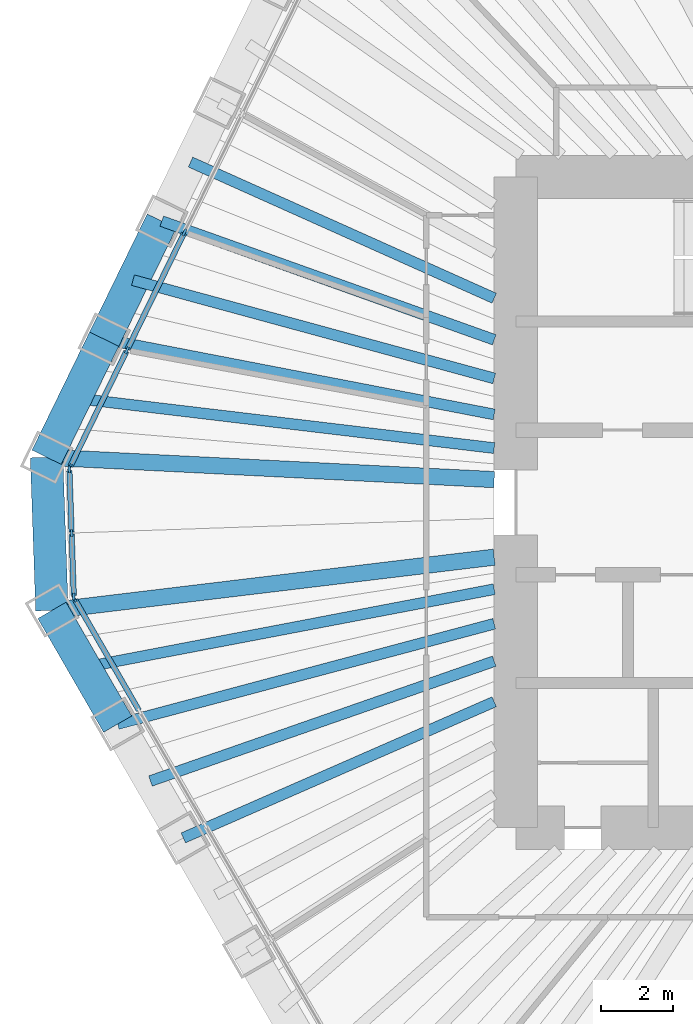
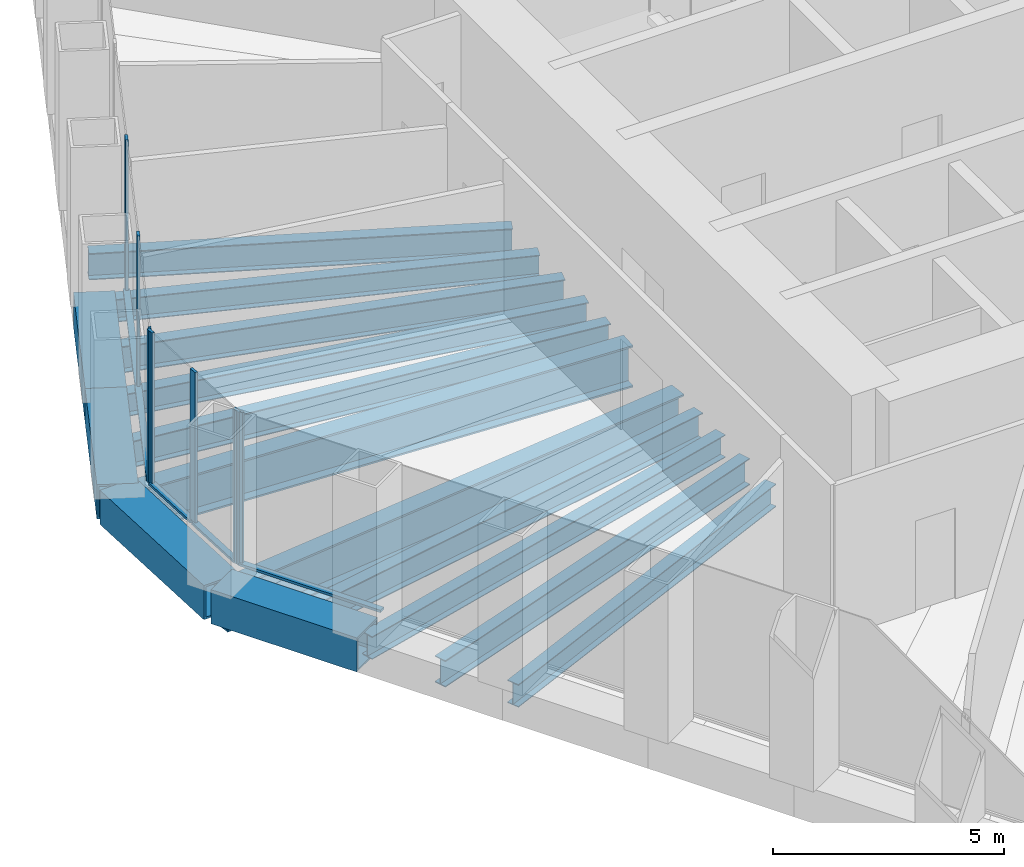
# One storey, part 3 of 13: 15 beams, 12 members, 3 elements without a shape of their own.
"""IFC4 building model written with IfcOpenShell, lengths in metres."""

from ifc_helpers import new_model, si_unit, direction, frame, origin, origin_2d, place, context, subcontext, project, spatial, rectangle, hollow_rectangle, i_section, extrude, material, material_profile, profile_set, type_object, element, aggregate, save


model = new_model("IFC4")

# Units and contexts
model_context = context("Model", 3, precision=1e-05, world=origin(), true_north=direction((0.0, 1.0)))
body_context = subcontext(model_context, "Body", "Model", "MODEL_VIEW")
ifc_project = project(units=[si_unit("LENGTHUNIT", "METRE"), si_unit("AREAUNIT", "SQUARE_METRE"), si_unit("VOLUMEUNIT", "CUBIC_METRE"), si_unit("PLANEANGLEUNIT", "RADIAN"), si_unit("MASSUNIT", "GRAM", prefix="KILO")], contexts=[model_context])

# Site, building, storey
site_placement = place(None, origin())
site = spatial("IfcSite", under=ifc_project, at=site_placement, CompositionType="ELEMENT")
building_placement = place(site_placement, origin())
building = spatial("IfcBuilding", under=site, at=building_placement, Name="Qingtian Harvest Tower", CompositionType="ELEMENT")
storey_placement = place(building_placement, frame((0.0, 0.0, 193.0)))
storey = spatial("IfcBuildingStorey", under=building, at=storey_placement, Name="L41", CompositionType="ELEMENT", Elevation=193.0)

# Beams
ifc_material_1 = material(Name="Steel SM570MC", Category="steel")
ifc_material_profile_1 = material_profile(ifc_material_1, i_section(OverallWidth=0.449951171875, OverallDepth=1.10009765625, WebThickness=0.02197265625, FlangeThickness=0.044921875, at=origin_2d()), Name="H1100x450x22x45")
ifc_profile_set_1 = profile_set([ifc_material_profile_1], Name="Steel SM570MC")
beam_type_1 = type_object("IfcBeamType", Name="Corner floor beam FB8 H1100x450x22x45", PredefinedType="BEAM", material=ifc_profile_set_1)
beam_1_placement = place(storey_placement, frame((-24.833251953125, -2.987548828125, -0.719970703125), z_axis=(0.992841259631, 0.119441337798, 0.0), x_axis=(-0.119441337798, 0.992841259631, 0.0)))
element("IfcBeam", 1, at=beam_1_placement, inside=storey, type_object=beam_type_1, Name="Floor beam FB8 SW6", PredefinedType="BEAM", context=body_context, shape_type="SweptSolid", body=[
    extrude(i_section(OverallWidth=0.449951171875, OverallDepth=1.10009765625, WebThickness=0.02197265625, FlangeThickness=0.044921875, at=origin_2d()), origin(), (0.0, 0.0, 1.0), 12.3212890625),
])
beam_2_placement = place(storey_placement, frame((-24.981201171875, 1.248046875, -0.719970703125), z_axis=(0.998753959075, -0.049905202459, 0.0), x_axis=(0.049905202459, 0.998753959075, 0.0)))
element("IfcBeam", 2, at=beam_2_placement, inside=storey, type_object=beam_type_1, Name="Floor beam FB8 NW0", PredefinedType="BEAM", context=body_context, shape_type="SweptSolid", body=[
    extrude(i_section(OverallWidth=0.449951171875, OverallDepth=1.10009765625, WebThickness=0.02197265625, FlangeThickness=0.044921875, at=origin_2d()), origin(), (0.0, 0.0, 1.0), 12.396484375),
])
ifc_material_2 = material(Name="Steel SN490B", Category="steel")
ifc_material_profile_2 = material_profile(ifc_material_2, i_section(OverallWidth=0.300048828125, OverallDepth=0.60009765625, WebThickness=0.011962890625, FlangeThickness=0.02001953125, at=origin_2d()), Name="H600x300x12x20")
ifc_profile_set_2 = profile_set([ifc_material_profile_2], Name="Steel SN490B")
beam_type_2 = type_object("IfcBeamType", Name="Floor beam FB3 H600x300x12x20", PredefinedType="BEAM", material=ifc_profile_set_2)
beam_3_placement = place(storey_placement, frame((-21.19970703125, -9.281005859375, -0.469970703125), z_axis=(0.916057031544, 0.401048020765, 0.0), x_axis=(-0.401048020765, 0.916057031544, 0.0)))
element("IfcBeam", 3, at=beam_3_placement, inside=storey, type_object=beam_type_2, Name="Floor beam FB3 SW4", PredefinedType="BEAM", context=body_context, shape_type="SweptSolid", body=[
    extrude(i_section(OverallWidth=0.300048828125, OverallDepth=0.60009765625, WebThickness=0.011962890625, FlangeThickness=0.02001953125, at=origin_2d()), origin(), (0.0, 0.0, 1.0), 9.3876953125),
])
beam_4_placement = place(storey_placement, frame((-23.016357421875, -6.13427734375, -0.469970703125), z_axis=(0.966270640629, 0.257528734433, 0.0), x_axis=(-0.257528734433, 0.966270640629, 0.0)))
element("IfcBeam", 4, at=beam_4_placement, inside=storey, type_object=beam_type_2, Name="Floor beam FB3 SW5", PredefinedType="BEAM", context=body_context, shape_type="SweptSolid", body=[
    extrude(i_section(OverallWidth=0.300048828125, OverallDepth=0.60009765625, WebThickness=0.011962890625, FlangeThickness=0.02001953125, at=origin_2d()), origin(), (0.0, 0.0, 1.0), 10.77978515625),
])
beam_5_placement = place(storey_placement, frame((-23.388427734375, 4.513916015625, -0.469970703125), z_axis=(0.981878004162, -0.189514075845, 0.0), x_axis=(0.189514075845, 0.981878004162, 0.0)))
element("IfcBeam", 5, at=beam_5_placement, inside=storey, type_object=beam_type_2, Name="Floor beam FB3 NW1", PredefinedType="BEAM", context=body_context, shape_type="SweptSolid", body=[
    extrude(i_section(OverallWidth=0.300048828125, OverallDepth=0.60009765625, WebThickness=0.011962890625, FlangeThickness=0.02001953125, at=origin_2d()), origin(), (0.0, 0.0, 1.0), 10.987548828125),
])
beam_6_placement = place(storey_placement, frame((-21.79541015625, 7.779541015625, -0.469970703125), z_axis=(0.941800733255, -0.336171650857, 0.0), x_axis=(0.336171650857, 0.941800733255, 0.0)))
element("IfcBeam", 6, at=beam_6_placement, inside=storey, type_object=beam_type_2, Name="Floor beam FB3 NW2", PredefinedType="BEAM", context=body_context, shape_type="SweptSolid", body=[
    extrude(i_section(OverallWidth=0.300048828125, OverallDepth=0.60009765625, WebThickness=0.011962890625, FlangeThickness=0.02001953125, at=origin_2d()), origin(), (0.0, 0.0, 1.0), 9.763427734375),
])
ifc_material_3 = material(Name="Steel SN490B", Category="steel")
ifc_material_profile_3 = material_profile(ifc_material_3, i_section(OverallWidth=0.300048828125, OverallDepth=0.699951171875, WebThickness=0.012939453125, FlangeThickness=0.02392578125, at=origin_2d()), Name="H700x300x13x24")
ifc_profile_set_3 = profile_set([ifc_material_profile_3], Name="Steel SN490B")
beam_type_3 = type_object("IfcBeamType", Name="Floor joist J2 H700x300x13x24", PredefinedType="JOIST", material=ifc_profile_set_3)
beam_7_placement = place(storey_placement, frame((-22.108154296875, -7.707763671875, -0.52001953125), z_axis=(0.944256456951, 0.329210788868, 0.0), x_axis=(-0.329210788868, 0.944256456951, 0.0)))
element("IfcBeam", 7, at=beam_7_placement, inside=storey, type_object=beam_type_3, Name="Floor joist J2 SW4", PredefinedType="JOIST", context=body_context, shape_type="SweptSolid", body=[
    extrude(i_section(OverallWidth=0.300048828125, OverallDepth=0.699951171875, WebThickness=0.012939453125, FlangeThickness=0.02392578125, at=origin_2d()), origin(), (0.0, 0.0, 1.0), 10.0693359375),
])
beam_8_placement = place(storey_placement, frame((-23.9248046875, -4.56103515625, -0.52001953125), z_axis=(0.982309082743, 0.187266830912, 0.0), x_axis=(-0.187266830912, 0.982309082743, 0.0)))
element("IfcBeam", 8, at=beam_8_placement, inside=storey, type_object=beam_type_3, Name="Floor joist J2 SW5", PredefinedType="JOIST", context=body_context, shape_type="SweptSolid", body=[
    extrude(i_section(OverallWidth=0.300048828125, OverallDepth=0.699951171875, WebThickness=0.012939453125, FlangeThickness=0.02392578125, at=origin_2d()), origin(), (0.0, 0.0, 1.0), 11.528564453125),
])
beam_9_placement = place(storey_placement, frame((-24.184814453125, 2.880859375, -0.52001953125), z_axis=(0.992980727423, -0.11827626544, 0.0), x_axis=(0.11827626544, 0.992980727423, 0.0)))
element("IfcBeam", 9, at=beam_9_placement, inside=storey, type_object=beam_type_3, Name="Floor joist J2 NW0", PredefinedType="JOIST", context=body_context, shape_type="SweptSolid", body=[
    extrude(i_section(OverallWidth=0.300048828125, OverallDepth=0.699951171875, WebThickness=0.012939453125, FlangeThickness=0.02392578125, at=origin_2d()), origin(), (0.0, 0.0, 1.0), 11.66650390625),
])
beam_10_placement = place(storey_placement, frame((-22.591796875, 6.146728515625, -0.52001953125), z_axis=(0.964923062728, -0.26253282274, 0.0), x_axis=(0.26253282274, 0.964923062728, 0.0)))
element("IfcBeam", 10, at=beam_10_placement, inside=storey, type_object=beam_type_3, Name="Floor joist J2 NW1", PredefinedType="JOIST", context=body_context, shape_type="SweptSolid", body=[
    extrude(i_section(OverallWidth=0.300048828125, OverallDepth=0.699951171875, WebThickness=0.012939453125, FlangeThickness=0.02392578125, at=origin_2d()), origin(), (0.0, 0.0, 1.0), 10.35498046875),
])
beam_11_placement = place(storey_placement, frame((-20.9990234375, 9.41259765625, -0.52001953125), z_axis=(0.912515128421, -0.409042956671, 0.0), x_axis=(0.409042956671, 0.912515128421, 0.0)))
element("IfcBeam", 11, at=beam_11_placement, inside=storey, type_object=beam_type_3, Name="Floor joist J2 NW2", PredefinedType="JOIST", context=body_context, shape_type="SweptSolid", body=[
    extrude(i_section(OverallWidth=0.300048828125, OverallDepth=0.699951171875, WebThickness=0.012939453125, FlangeThickness=0.02392578125, at=origin_2d()), origin(), (0.0, 0.0, 1.0), 9.2041015625),
])

# Curtain wall, member
ifc_material_4 = material(Name="Bronze-anodised aluminium curtain wall", Category="aluminium")
curtain_wall_type = type_object("IfcCurtainWallType", Name="Curtain wall CW4 office", PredefinedType="USERDEFINED", material=ifc_material_4)
curtain_wall_1_placement = place(storey_placement, origin())
curtain_wall_1 = element("IfcCurtainWall", 12, at=curtain_wall_1_placement, inside=storey, type_object=curtain_wall_type, Name="Curtain wall CW4 L41 SW0-5", ObjectType="RECESSED CURTAIN WALL", PredefinedType="USERDEFINED")
ifc_material_5 = material(Name="Bronze-anodised aluminium mullion", Category="aluminium")
ifc_material_profile_4 = material_profile(ifc_material_5, rectangle(XDim=0.06494140625, YDim=0.199951171875, at=origin_2d()), Name="AL 65x200")
ifc_profile_set_4 = profile_set([ifc_material_profile_4], Name="Bronze-anodised aluminium mullion")
member_type_1 = type_object("IfcMemberType", Name="Mullion CWM 65x200", PredefinedType="MULLION", material=ifc_profile_set_4)
member_1_placement = place(storey_placement, frame((-24.210693359375, -2.665771484375, 0.0), z_axis=(0.0, 0.0, 1.0), x_axis=(-0.866025403784, -0.5, 0.0)))
member_1 = element("IfcMember", 13, at=member_1_placement, type_object=member_type_1, Name="CW4 mullion 7", PredefinedType="MULLION", context=body_context, shape_type="SweptSolid", body=[
    extrude(rectangle(XDim=0.06494140625, YDim=0.199951171875, at=origin_2d()), origin(), (0.0, 0.0, 1.0), 4.030029296875),
])

# Curtain wall, members
curtain_wall_2_placement = place(storey_placement, origin())
curtain_wall_2 = element("IfcCurtainWall", 14, at=curtain_wall_2_placement, inside=storey, type_object=curtain_wall_type, Name="Curtain wall CW4 L41 SWC", ObjectType="RECESSED CURTAIN WALL", PredefinedType="USERDEFINED")
member_2_placement = place(storey_placement, frame((-24.228271484375, -2.60498046875, 0.0), z_axis=(0.0, 0.0, 1.0), x_axis=(-0.999390827019, -0.034899496703, 0.0)))
member_2 = element("IfcMember", 15, at=member_2_placement, type_object=member_type_1, Name="CW4 mullion 1", PredefinedType="MULLION", context=body_context, shape_type="SweptSolid", body=[
    extrude(rectangle(XDim=0.06494140625, YDim=0.199951171875, at=origin_2d()), origin(), (0.0, 0.0, 1.0), 4.030029296875),
])
member_3_placement = place(storey_placement, frame((-24.28955078125, -0.84814453125, 0.0), z_axis=(0.0, 0.0, 1.0), x_axis=(-0.999390827019, -0.034899496703, 0.0)))
member_3 = element("IfcMember", 16, at=member_3_placement, type_object=member_type_1, Name="CW4 mullion 2", PredefinedType="MULLION", context=body_context, shape_type="SweptSolid", body=[
    extrude(rectangle(XDim=0.06494140625, YDim=0.199951171875, at=origin_2d()), origin(), (0.0, 0.0, 1.0), 4.030029296875),
])
member_4_placement = place(storey_placement, frame((-24.350830078125, 0.90869140625, 0.0), z_axis=(0.0, 0.0, 1.0), x_axis=(-0.999390827019, -0.034899496703, 0.0)))
member_4 = element("IfcMember", 17, at=member_4_placement, type_object=member_type_1, Name="CW4 mullion 3", PredefinedType="MULLION", context=body_context, shape_type="SweptSolid", body=[
    extrude(rectangle(XDim=0.06494140625, YDim=0.199951171875, at=origin_2d()), origin(), (0.0, 0.0, 1.0), 4.030029296875),
])

curtain_wall_3_placement = place(storey_placement, origin())
curtain_wall_3 = element("IfcCurtainWall", 18, at=curtain_wall_3_placement, inside=storey, type_object=curtain_wall_type, Name="Curtain wall CW4 L41 NW0-5", ObjectType="RECESSED CURTAIN WALL", PredefinedType="USERDEFINED")
member_5_placement = place(storey_placement, frame((-24.337646484375, 0.970458984375, 0.0), z_axis=(0.0, 0.0, 1.0), x_axis=(-0.898794046299, 0.438371146789, 0.0)))
member_5 = element("IfcMember", 19, at=member_5_placement, type_object=member_type_1, Name="CW4 mullion 1", PredefinedType="MULLION", context=body_context, shape_type="SweptSolid", body=[
    extrude(rectangle(XDim=0.06494140625, YDim=0.199951171875, at=origin_2d()), origin(), (0.0, 0.0, 1.0), 4.030029296875),
])
member_6_placement = place(storey_placement, frame((-22.759033203125, 4.20703125, 0.0), z_axis=(0.0, 0.0, 1.0), x_axis=(-0.898794046299, 0.438371146789, 0.0)))
member_6 = element("IfcMember", 20, at=member_6_placement, type_object=member_type_1, Name="CW4 mullion 2", PredefinedType="MULLION", context=body_context, shape_type="SweptSolid", body=[
    extrude(rectangle(XDim=0.06494140625, YDim=0.199951171875, at=origin_2d()), origin(), (0.0, 0.0, 1.0), 4.030029296875),
])
member_7_placement = place(storey_placement, frame((-21.166259765625, 7.47265625, 0.0), z_axis=(0.0, 0.0, 1.0), x_axis=(-0.898794046299, 0.438371146789, 0.0)))
member_7 = element("IfcMember", 21, at=member_7_placement, type_object=member_type_1, Name="CW4 mullion 3", PredefinedType="MULLION", context=body_context, shape_type="SweptSolid", body=[
    extrude(rectangle(XDim=0.06494140625, YDim=0.199951171875, at=origin_2d()), origin(), (0.0, 0.0, 1.0), 4.030029296875),
])

# Beams
ifc_material_6 = material(Name="Steel SM570MC", Category="steel")
ifc_material_profile_5 = material_profile(ifc_material_6, hollow_rectangle(XDim=0.89990234375, YDim=0.89990234375, WallThickness=0.050048828125, at=origin_2d()), Name="BOX900x900x50")
ifc_profile_set_5 = profile_set([ifc_material_profile_5], Name="Steel SM570MC")
beam_type_4 = type_object("IfcBeamType", Name="Transition spandrel SB6 BOX900x900x50", PredefinedType="SPANDREL", material=ifc_profile_set_5)
beam_12_placement = place(storey_placement, frame((-23.016357421875, -6.13427734375, -0.449951171875), z_axis=(-0.500026827678, 0.866009914263, 0.0), x_axis=(-0.866009914263, -0.500026827678, 0.0)))
element("IfcBeam", 22, at=beam_12_placement, inside=storey, type_object=beam_type_4, Name="Spandrel SB6 SW5", PredefinedType="SPANDREL", context=body_context, shape_type="SweptSolid", body=[
    extrude(hollow_rectangle(XDim=0.89990234375, YDim=0.89990234375, WallThickness=0.050048828125, at=origin_2d()), origin(), (0.0, 0.0, 1.0), 3.633544921875),
])
beam_13_placement = place(storey_placement, frame((-24.833251953125, -2.987548828125, -0.449951171875), z_axis=(-0.034908677553, 0.999390506375, 0.0), x_axis=(-0.999390506375, -0.034908677553, 0.0)))
element("IfcBeam", 23, at=beam_13_placement, inside=storey, type_object=beam_type_4, Name="Spandrel SB6 SWC", PredefinedType="SPANDREL", context=body_context, shape_type="SweptSolid", body=[
    extrude(hollow_rectangle(XDim=0.89990234375, YDim=0.89990234375, WallThickness=0.050048828125, at=origin_2d()), origin(), (0.0, 0.0, 1.0), 4.23828125),
])
for number, where, z_axis, x_axis, name in (
    (24, (-24.981201171875, 1.248046875, -0.449951171875), (0.438349498419, 0.898804604592, 0.0), (-0.898804604592, 0.438349498419, 0.0), "Spandrel SB6 NW0"),
    (25, (-23.388427734375, 4.513916015625, -0.449951171875), (0.438430251153, 0.898765216769, 0.0), (-0.898765216769, 0.438430251153, 0.0), "Spandrel SB6 NW1"),
):
    element("IfcBeam", number, at=place(storey_placement, frame(where, z_axis=z_axis, x_axis=x_axis)), inside=storey, type_object=beam_type_4, Name=name, PredefinedType="SPANDREL", context=body_context, shape_type="SweptSolid", body=[
        extrude(hollow_rectangle(XDim=0.89990234375, YDim=0.89990234375, WallThickness=0.050048828125, at=origin_2d()), origin(), (0.0, 0.0, 1.0), 3.633544921875),
    ])

# Member
ifc_material_7 = material(Name="Bronze-anodised aluminium transom", Category="aluminium")
ifc_material_profile_6 = material_profile(ifc_material_7, rectangle(XDim=0.14990234375, YDim=0.06494140625, at=origin_2d()), Name="AL 65x150")
ifc_profile_set_6 = profile_set([ifc_material_profile_6], Name="Bronze-anodised aluminium transom")
member_type_2 = type_object("IfcMemberType", Name="Transom CWT 65x150", PredefinedType="USERDEFINED", material=ifc_profile_set_6)
member_8_placement = place(storey_placement, frame((-22.426513671875, -5.756103515625, 0.032470703125), z_axis=(-0.500015305566, 0.866016566931, 0.0), x_axis=(-0.866016566931, -0.500015305566, 0.0)))
member_8 = element("IfcMember", 26, at=member_8_placement, type_object=member_type_2, Name="CW4 transom 6.1", ObjectType="TRANSOM", PredefinedType="USERDEFINED", context=body_context, shape_type="SweptSolid", body=[
    extrude(rectangle(XDim=0.14990234375, YDim=0.06494140625, at=origin_2d()), origin(), (0.0, 0.0, 1.0), 3.5361328125),
])

aggregate(curtain_wall_1, [member_1, member_8])

member_9_placement = place(storey_placement, frame((-24.229248046875, -2.572509765625, 0.032470703125), z_axis=(-0.034899362377, 0.99939083171, 0.0), x_axis=(-0.99939083171, -0.034899362377, 0.0)))
member_9 = element("IfcMember", 27, at=member_9_placement, type_object=member_type_2, Name="CW4 transom 1.1", ObjectType="TRANSOM", PredefinedType="USERDEFINED", context=body_context, shape_type="SweptSolid", body=[
    extrude(rectangle(XDim=0.14990234375, YDim=0.06494140625, at=origin_2d()), origin(), (0.0, 0.0, 1.0), 1.69287109375),
])

member_10_placement = place(storey_placement, frame((-24.29052734375, -0.815673828125, 0.032470703125), z_axis=(-0.034899362377, 0.99939083171, 0.0), x_axis=(-0.99939083171, -0.034899362377, 0.0)))
member_10 = element("IfcMember", 28, at=member_10_placement, type_object=member_type_2, Name="CW4 transom 2.1", ObjectType="TRANSOM", PredefinedType="USERDEFINED", context=body_context, shape_type="SweptSolid", body=[
    extrude(rectangle(XDim=0.14990234375, YDim=0.06494140625, at=origin_2d()), origin(), (0.0, 0.0, 1.0), 1.69287109375),
])

aggregate(curtain_wall_2, [member_2, member_3, member_4, member_9, member_10])

member_11_placement = place(storey_placement, frame((-24.323486328125, 0.99951171875, 0.032470703125), z_axis=(0.438354255898, 0.898802284341, 0.0), x_axis=(-0.898802284341, 0.438354255898, 0.0)))
member_11 = element("IfcMember", 29, at=member_11_placement, type_object=member_type_2, Name="CW4 transom 1.1", ObjectType="TRANSOM", PredefinedType="USERDEFINED", context=body_context, shape_type="SweptSolid", body=[
    extrude(rectangle(XDim=0.14990234375, YDim=0.06494140625, at=origin_2d()), origin(), (0.0, 0.0, 1.0), 3.5361328125),
])

member_12_placement = place(storey_placement, frame((-22.744873046875, 4.236083984375, 0.032470703125), z_axis=(0.438325233634, 0.89881643819, 0.0), x_axis=(-0.89881643819, 0.438325233634, 0.0)))
member_12 = element("IfcMember", 30, at=member_12_placement, type_object=member_type_2, Name="CW4 transom 2.1", ObjectType="TRANSOM", PredefinedType="USERDEFINED", context=body_context, shape_type="SweptSolid", body=[
    extrude(rectangle(XDim=0.14990234375, YDim=0.06494140625, at=origin_2d()), origin(), (0.0, 0.0, 1.0), 3.568603515625),
])

aggregate(curtain_wall_3, [member_5, member_6, member_7, member_11, member_12])

save(model, "model.ifc")
